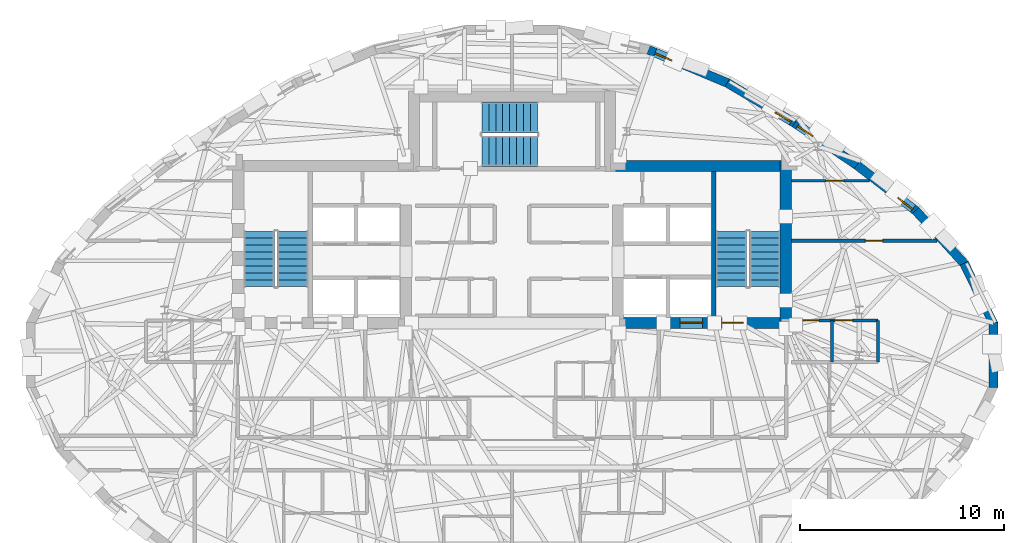
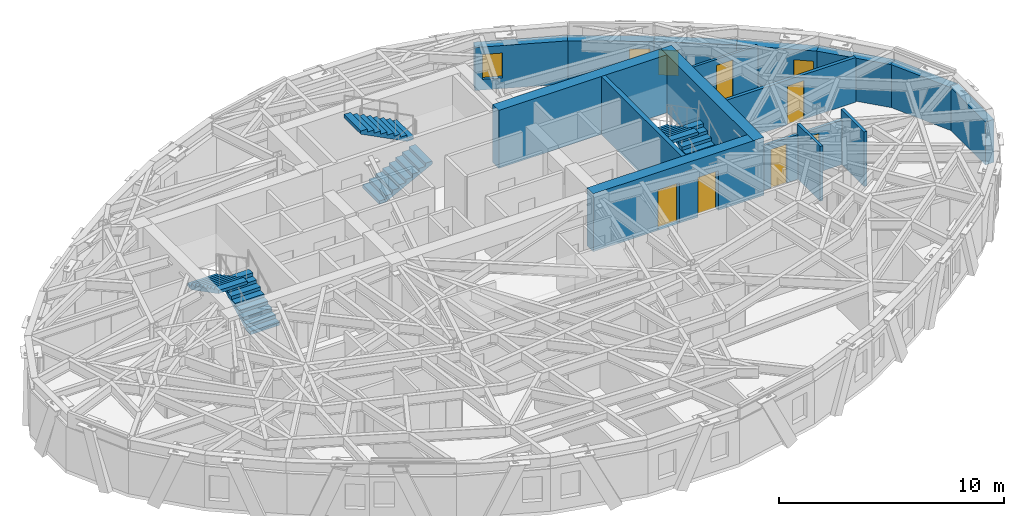
# One storey, part 10 of 13: 16 walls, 6 doors, 6 stair flights, 4 windows, 10 openings, 3 elements without a shape of their own.
"""IFC4 building model written with IfcOpenShell, lengths in metres."""

from ifc_helpers import new_model, si_unit, direction, frame, frame_2d, origin, place, context, subcontext, project, spatial, polyline, rectangle, outline, extrude, material, layer, layer_set, type_object, element, fill, aggregate, save


model = new_model("IFC4")

# Units and contexts
model_context = context("Model", 3, precision=1e-05, world=origin(), true_north=direction((0.0, 1.0)))
body_context = subcontext(model_context, "Body", "Model", "MODEL_VIEW")
ifc_project = project(units=[si_unit("LENGTHUNIT", "METRE"), si_unit("AREAUNIT", "SQUARE_METRE"), si_unit("VOLUMEUNIT", "CUBIC_METRE"), si_unit("PLANEANGLEUNIT", "RADIAN"), si_unit("MASSUNIT", "GRAM", prefix="KILO")], contexts=[model_context])

# Site, building, storey
site_placement = place(None, origin())
site = spatial("IfcSite", under=ifc_project, at=site_placement, CompositionType="ELEMENT")
building_placement = place(site_placement, origin())
building = spatial("IfcBuilding", under=site, at=building_placement, Name="Keldmark Tower", CompositionType="ELEMENT")
storey_placement = place(building_placement, frame((0.0, 0.0, 210.0)))
storey = spatial("IfcBuildingStorey", under=building, at=storey_placement, Name="L58", CompositionType="ELEMENT", Elevation=210.0)

# Walls
ifc_material_1 = material(Name="Concrete C50/60", Category="concrete")
ifc_layer_1 = layer(ifc_material_1, 0.550048828125)
ifc_layer_set_1 = layer_set([ifc_layer_1], Name="Concrete C50/60")
wall_type_1 = type_object("IfcWallType", Name="High-Rise Core Shear Wall 550 mm", PredefinedType="SHEAR", material=ifc_layer_set_1)
wall_1_placement = place(storey_placement, frame((13.425048828125, 1.300048828125, 0.0), z_axis=(0.0, 0.0, 1.0), x_axis=(0.0, 1.0, 0.0)))
element("IfcWall", 1, at=wall_1_placement, inside=storey, type_object=wall_type_1, Name="L58 East Core Outer Shear Wall", PredefinedType="SHEAR", context=body_context, shape_type="SweptSolid", body=[
    extrude(rectangle(XDim=8.25, YDim=0.550048828125, at=frame_2d((4.125, 0.0))), origin(), (0.0, 0.0, 1.0), 3.14990234375),
])
wall_2_placement = place(storey_placement, frame((4.52490234375, 9.27490234375, 0.0), z_axis=(0.0, 0.0, 1.0), x_axis=(1.0, 0.0, 0.0)))
element("IfcWall", 2, at=wall_2_placement, inside=storey, type_object=wall_type_1, Name="L58 East Core North Shear Wall", PredefinedType="SHEAR", context=body_context, shape_type="SweptSolid", body=[
    extrude(rectangle(XDim=9.175048828125, YDim=0.550048828125, at=frame_2d((4.58740234375, 0.0))), origin(), (0.0, 0.0, 1.0), 3.14990234375),
])

# Wall, openings, doors
wall_3_placement = place(storey_placement, frame((13.699951171875, 1.574951171875, 0.0), z_axis=(0.0, 0.0, 1.0), x_axis=(-1.0, 0.0, 0.0)))
wall_3 = element("IfcWall", 3, at=wall_3_placement, inside=storey, type_object=wall_type_1, Name="L58 East Core South Shear Wall", PredefinedType="SHEAR", context=body_context, shape_type="SweptSolid", body=[
    extrude(rectangle(XDim=8.77490234375, YDim=0.550048828125, at=frame_2d((4.387451171875, 0.0))), origin(), (0.0, 0.0, 1.0), 3.14990234375),
])
opening_1_placement = place(wall_3_placement, frame((2.35009765625, 0.0, 0.0)))
opening_1 = element("IfcOpeningElement", 4, at=opening_1_placement, cuts=wall_3, Name="Opening D-ST105", PredefinedType="OPENING", context=body_context, shape_type="SweptSolid", body=[
    extrude(rectangle(XDim=1.050048828125, YDim=2.14990234375, at=frame_2d((0.52490234375, 1.074951171875))), frame((0.0, 0.284912109375, 0.0), z_axis=(0.0, -1.0, 0.0), x_axis=(1.0, 0.0, 0.0)), (0.0, 0.0, 1.0), 0.570068359375),
])
opening_2_placement = place(wall_3_placement, frame((4.35009765625, 0.0, 0.0)))
opening_2 = element("IfcOpeningElement", 5, at=opening_2_placement, cuts=wall_3, Name="Opening LD-110", PredefinedType="OPENING", context=body_context, shape_type="SweptSolid", body=[
    extrude(rectangle(XDim=1.10009765625, YDim=2.199951171875, at=frame_2d((0.550048828125, 1.10009765625))), frame((0.0, 0.284912109375, 0.0), z_axis=(0.0, -1.0, 0.0), x_axis=(1.0, 0.0, 0.0)), (0.0, 0.0, 1.0), 0.570068359375),
])
ifc_material_2 = material(Name="Brushed Bronze Hoistway Sliding Leaf", Category="metal")
door_type_1 = type_object("IfcDoorType", Name="Lift Landing Sliding Door 1100x2200", OperationType="SLIDING_TO_LEFT", PredefinedType="DOOR", material=ifc_material_2)
door_1_placement = place(opening_2_placement, origin())
door_1 = element("IfcDoor", 6, at=door_1_placement, inside=storey, type_object=door_type_1, Name="L58 Lift Landing Sliding Door 1100x2200 LD-EL-FS2-L58", OperationType="SLIDING_TO_LEFT", OverallHeight=2.199951171875, OverallWidth=1.10009765625, PredefinedType="DOOR", context=body_context, shape_type="SweptSolid", body=[
    extrude(rectangle(XDim=1.10009765625, YDim=2.199951171875, at=frame_2d((0.550048828125, 1.10009765625))), frame((0.0, 0.02490234375, 0.0), z_axis=(0.0, -1.0, 0.0), x_axis=(1.0, 0.0, 0.0)), (0.0, 0.0, 1.0), 0.050048828125),
])
fill(opening_2, door_1)
ifc_material_3 = material(Name="Hollow Metal Fire-Rated Door Assembly", Category="metal")
door_type_2 = type_object("IfcDoorType", Name="Stair Fire Door 1050x2150", OperationType="NOTDEFINED", PredefinedType="DOOR", material=ifc_material_3)
door_2_placement = place(opening_1_placement, origin())
door_2 = element("IfcDoor", 7, at=door_2_placement, inside=storey, type_object=door_type_2, Name="L58 Stair Fire Door 1050x2150 D-ST2-L58", OperationType="SINGLE_SWING_LEFT", OverallHeight=2.14990234375, OverallWidth=1.050048828125, PredefinedType="DOOR", context=body_context, shape_type="SweptSolid", body=[
    extrude(rectangle(XDim=1.050048828125, YDim=2.14990234375, at=frame_2d((0.52490234375, 1.074951171875))), frame((0.0, 0.02490234375, 0.0), z_axis=(0.0, -1.0, 0.0), x_axis=(1.0, 0.0, 0.0)), (0.0, 0.0, 1.0), 0.050048828125),
])
fill(opening_1, door_2)

# Wall, opening, door
ifc_material_4 = material(Name="Acoustic Gypsum Board Interior Partition", Category="gypsum")
ifc_layer_2 = layer(ifc_material_4, 0.1298828125)
ifc_layer_set_2 = layer_set([ifc_layer_2], Name="Acoustic Gypsum Board Interior Partition")
wall_type_2 = type_object("IfcWallType", Name="Interior Partition 130 mm", PredefinedType="PARTITIONING", material=ifc_layer_set_2)
wall_4_placement = place(storey_placement, frame((13.699951171875, 8.550048828125, 0.0), z_axis=(0.0, 0.0, 1.0), x_axis=(1.0, 0.0, 0.0)))
wall_4 = element("IfcWall", 8, at=wall_4_placement, inside=storey, type_object=wall_type_2, Name="L58 Interior Partition 130 mm UD-NDIV2", PredefinedType="PARTITIONING", context=body_context, shape_type="SweptSolid", body=[
    extrude(rectangle(XDim=3.826171875, YDim=0.1298828125, at=frame_2d((1.9130859375, 0.0))), origin(), (0.0, 0.0, 1.0), 2.423095703125),
])
opening_3_placement = place(wall_4_placement, frame((1.70703125, 0.0, 0.0)))
opening_3 = element("IfcOpeningElement", 9, at=opening_3_placement, cuts=wall_4, Name="Opening D-IN085", PredefinedType="OPENING", context=body_context, shape_type="SweptSolid", body=[
    extrude(rectangle(XDim=0.85009765625, YDim=2.10009765625, at=frame_2d((0.425048828125, 1.050048828125))), frame((0.0, 0.074951171875, 0.0), z_axis=(0.0, -1.0, 0.0), x_axis=(1.0, 0.0, 0.0)), (0.0, 0.0, 1.0), 0.14990234375),
])
ifc_material_5 = material(Name="Painted Architectural Wood", Category="wood")
door_type_3 = type_object("IfcDoorType", Name="Interior Door 850x2100", OperationType="NOTDEFINED", PredefinedType="DOOR", material=ifc_material_5)
door_3_placement = place(opening_3_placement, origin())
door_3 = element("IfcDoor", 10, at=door_3_placement, inside=storey, type_object=door_type_3, Name="L58 Interior Door 850x2100 D-UD-BR2-L58", OperationType="SINGLE_SWING_RIGHT", OverallHeight=2.10009765625, OverallWidth=0.85009765625, PredefinedType="DOOR", context=body_context, shape_type="SweptSolid", body=[
    extrude(rectangle(XDim=0.85009765625, YDim=2.10009765625, at=frame_2d((0.425048828125, 1.050048828125))), frame((0.0, 0.02490234375, 0.0), z_axis=(0.0, -1.0, 0.0), x_axis=(1.0, 0.0, 0.0)), (0.0, 0.0, 1.0), 0.050048828125),
])
fill(opening_3, door_3)

ifc_material_6 = material(Name="Type X Fire-Rated Gypsum Partition Assembly", Category="gypsum")
ifc_layer_3 = layer(ifc_material_6, 0.1650390625)
ifc_layer_set_3 = layer_set([ifc_layer_3], Name="Type X Fire-Rated Gypsum Partition Assembly")
wall_type_3 = type_object("IfcWallType", Name="Rated Partition 165 mm", PredefinedType="PARTITIONING", material=ifc_layer_set_3)
wall_5_placement = place(storey_placement, frame((13.699951171875, 5.60009765625, 0.0), z_axis=(0.0, 0.0, 1.0), x_axis=(1.0, 0.0, 0.0)))
wall_5 = element("IfcWall", 11, at=wall_5_placement, inside=storey, type_object=wall_type_3, Name="L58 Rated Partition 165 mm RE-NDIV", PredefinedType="PARTITIONING", context=body_context, shape_type="SweptSolid", body=[
    extrude(rectangle(XDim=7.144775390625, YDim=0.1650390625, at=frame_2d((3.572265625, 0.0))), origin(), (0.0, 0.0, 1.0), 2.423095703125),
])
opening_4_placement = place(wall_5_placement, frame((3.626953125, 0.0, 0.0)))
opening_4 = element("IfcOpeningElement", 12, at=opening_4_placement, cuts=wall_5, Name="Opening D-BR085", PredefinedType="OPENING", context=body_context, shape_type="SweptSolid", body=[
    extrude(rectangle(XDim=0.85009765625, YDim=2.10009765625, at=frame_2d((0.425048828125, 1.050048828125))), frame((0.0, 0.092529296875, 0.0), z_axis=(0.0, -1.0, 0.0), x_axis=(1.0, 0.0, 0.0)), (0.0, 0.0, 1.0), 0.18505859375),
])
ifc_material_7 = material(Name="Solid-Core Stained Walnut Wood", Category="wood")
door_type_4 = type_object("IfcDoorType", Name="Bedroom Door 850x2100", OperationType="NOTDEFINED", PredefinedType="DOOR", material=ifc_material_7)
door_4_placement = place(opening_4_placement, origin())
door_4 = element("IfcDoor", 13, at=door_4_placement, inside=storey, type_object=door_type_4, Name="L58 Bedroom Door 850x2100 D-UD-BR1-L58", OperationType="SINGLE_SWING_LEFT", OverallHeight=2.10009765625, OverallWidth=0.85009765625, PredefinedType="DOOR", context=body_context, shape_type="SweptSolid", body=[
    extrude(rectangle(XDim=0.85009765625, YDim=2.10009765625, at=frame_2d((0.425048828125, 1.050048828125))), frame((0.0, 0.02490234375, 0.0), z_axis=(0.0, -1.0, 0.0), x_axis=(1.0, 0.0, 0.0)), (0.0, 0.0, 1.0), 0.050048828125),
])
fill(opening_4, door_4)

# Walls
ifc_material_8 = material(Name="Concrete C50/60", Category="concrete")
ifc_layer_4 = layer(ifc_material_8, 0.219970703125)
ifc_layer_set_4 = layer_set([ifc_layer_4], Name="Concrete C50/60")
wall_type_4 = type_object("IfcWallType", Name="Stair Core Shear Wall 220 mm", PredefinedType="SHEAR", material=ifc_layer_set_4)
wall_6_placement = place(storey_placement, frame((9.889892578125, 1.85009765625, 0.0), z_axis=(0.0, 0.0, 1.0), x_axis=(0.0, 1.0, 0.0)))
element("IfcWall", 14, at=wall_6_placement, inside=storey, type_object=wall_type_4, Name="L58 East Stair Core Shear Wall", PredefinedType="SHEAR", context=body_context, shape_type="SweptSolid", body=[
    extrude(rectangle(XDim=7.14990234375, YDim=0.219970703125, at=frame_2d((3.574951171875, 0.0))), origin(), (0.0, 0.0, 1.0), 3.14990234375),
])
ifc_material_9 = material(Name="Ironspot Manganese Brick and Kasota Buff Limestone Spandrel Assembly", Category="masonry")
ifc_layer_5 = layer(ifc_material_9, 0.43994140625)
ifc_layer_set_5 = layer_set([ifc_layer_5], Name="Ironspot Manganese Brick and Kasota Buff Limestone Spandrel Assembly")
wall_type_5 = type_object("IfcWallType", Name="Tower Brick Pier and Spandrel Wall 440 mm", PredefinedType="STANDARD", material=ifc_layer_set_5)
wall_7_placement = place(storey_placement, frame((22.166015625, 4.504638671875, 0.0), z_axis=(0.0, 0.0, 1.0), x_axis=(0.439000922584, -0.898486610902, 0.0)))
element("IfcWall", 15, at=wall_7_placement, inside=storey, type_object=wall_type_5, Name="L58 Exterior Brick and Spandrel Wall 01", PredefinedType="STANDARD", context=body_context, shape_type="SweptSolid", body=[
    extrude(rectangle(XDim=3.34912109375, YDim=0.43994140625, at=frame_2d((1.674560546875, 0.0))), origin(), (0.0, 0.0, 1.0), 2.3359375),
])
wall_8_placement = place(storey_placement, frame((19.79541015625, 7.087158203125, 0.0), z_axis=(0.0, 0.0, 1.0), x_axis=(0.674353738675, -0.738408447362, 0.0)))
element("IfcWall", 16, at=wall_8_placement, inside=storey, type_object=wall_type_5, Name="L58 Exterior Brick and Spandrel Wall 02", PredefinedType="STANDARD", context=body_context, shape_type="SweptSolid", body=[
    extrude(rectangle(XDim=3.567626953125, YDim=0.43994140625, at=frame_2d((1.78369140625, 0.0))), origin(), (0.0, 0.0, 1.0), 2.3359375),
])

# Wall, opening, window
wall_9_placement = place(storey_placement, frame((16.910888671875, 9.314208984375, 0.0), z_axis=(0.0, 0.0, 1.0), x_axis=(0.791016617957, -0.61179466336, 0.0)))
wall_9 = element("IfcWall", 17, at=wall_9_placement, inside=storey, type_object=wall_type_5, Name="L58 Exterior Brick and Spandrel Wall 03", PredefinedType="STANDARD", context=body_context, shape_type="SweptSolid", body=[
    extrude(rectangle(XDim=3.68212890625, YDim=0.43994140625, at=frame_2d((1.841064453125, 0.0))), origin(), (0.0, 0.0, 1.0), 2.3359375),
])
opening_5_placement = place(wall_9_placement, frame((2.58203125, 0.0, 0.419921875)))
opening_5 = element("IfcOpeningElement", 18, at=opening_5_placement, cuts=wall_9, Name="Opening W-09", PredefinedType="OPENING", context=body_context, shape_type="SweptSolid", body=[
    extrude(rectangle(XDim=0.89990234375, YDim=1.35009765625, at=frame_2d((0.449951171875, 0.675048828125))), frame((0.0, 0.22998046875, 0.0), z_axis=(0.0, -1.0, 0.0), x_axis=(1.0, 0.0, 0.0)), (0.0, 0.0, 1.0), 0.4599609375),
])
ifc_material_10 = material(Name="Thermally Broken Anodized Aluminum and Triple Low-E Argon Glazing", Category="aluminium")
window_type = type_object("IfcWindowType", Name="Corner Pier Deep-Set Window 900x1350", PartitioningType="SINGLE_PANEL", PredefinedType="WINDOW", material=ifc_material_10)
window_1_placement = place(opening_5_placement, origin())
window_1 = element("IfcWindow", 19, at=window_1_placement, inside=storey, type_object=window_type, Name="L58 Deep-Set Window 03", OverallHeight=1.35009765625, OverallWidth=0.89990234375, PartitioningType="SINGLE_PANEL", PredefinedType="WINDOW", context=body_context, shape_type="SweptSolid", body=[
    extrude(rectangle(XDim=0.89990234375, YDim=1.35009765625, at=frame_2d((0.449951171875, 0.675048828125))), frame((0.0, -0.010009765625, 0.0), z_axis=(0.0, -1.0, 0.0), x_axis=(1.0, 0.0, 0.0)), (0.0, 0.0, 1.0), 0.06005859375),
])
fill(opening_5, window_1)

wall_10_placement = place(storey_placement, frame((13.865234375, 11.379150390625, 0.0), z_axis=(0.0, 0.0, 1.0), x_axis=(0.827589832786, -0.561333295529, 0.0)))
wall_10 = element("IfcWall", 20, at=wall_10_placement, inside=storey, type_object=wall_type_5, Name="L58 Exterior Brick and Spandrel Wall 04", PredefinedType="STANDARD", context=body_context, shape_type="SweptSolid", body=[
    extrude(rectangle(XDim=3.693359375, YDim=0.43994140625, at=frame_2d((1.8466796875, 0.0))), origin(), (0.0, 0.0, 1.0), 2.3359375),
])
opening_6_placement = place(wall_10_placement, frame((0.199951171875, 0.0, 0.419921875)))
opening_6 = element("IfcOpeningElement", 21, at=opening_6_placement, cuts=wall_10, Name="Opening W-09", PredefinedType="OPENING", context=body_context, shape_type="SweptSolid", body=[
    extrude(rectangle(XDim=0.89990234375, YDim=1.35009765625, at=frame_2d((0.449951171875, 0.675048828125))), frame((0.0, 0.22998046875, 0.0), z_axis=(0.0, -1.0, 0.0), x_axis=(1.0, 0.0, 0.0)), (0.0, 0.0, 1.0), 0.4599609375),
])
window_2_placement = place(opening_6_placement, origin())
window_2 = element("IfcWindow", 22, at=window_2_placement, inside=storey, type_object=window_type, Name="L58 Deep-Set Window 04", OverallHeight=1.35009765625, OverallWidth=0.89990234375, PartitioningType="SINGLE_PANEL", PredefinedType="WINDOW", context=body_context, shape_type="SweptSolid", body=[
    extrude(rectangle(XDim=0.89990234375, YDim=1.35009765625, at=frame_2d((0.449951171875, 0.675048828125))), frame((0.0, -0.010009765625, 0.0), z_axis=(0.0, -1.0, 0.0), x_axis=(1.0, 0.0, 0.0)), (0.0, 0.0, 1.0), 0.06005859375),
])
fill(opening_6, window_2)

wall_11_placement = place(storey_placement, frame((10.555419921875, 13.34765625, 0.0), z_axis=(0.0, 0.0, 1.0), x_axis=(0.859415840392, -0.511277237204, 0.0)))
wall_11 = element("IfcWall", 23, at=wall_11_placement, inside=storey, type_object=wall_type_5, Name="L58 Exterior Brick and Spandrel Wall 05", PredefinedType="STANDARD", context=body_context, shape_type="SweptSolid", body=[
    extrude(rectangle(XDim=3.864013671875, YDim=0.43994140625, at=frame_2d((1.93212890625, 0.0))), origin(), (0.0, 0.0, 1.0), 2.3359375),
])
opening_7_placement = place(wall_11_placement, frame((2.76416015625, 0.0, 0.580078125)))
opening_7 = element("IfcOpeningElement", 24, at=opening_7_placement, cuts=wall_11, Name="Opening W-09", PredefinedType="OPENING", context=body_context, shape_type="SweptSolid", body=[
    extrude(rectangle(XDim=0.89990234375, YDim=1.35009765625, at=frame_2d((0.449951171875, 0.675048828125))), frame((0.0, 0.22998046875, 0.0), z_axis=(0.0, -1.0, 0.0), x_axis=(1.0, 0.0, 0.0)), (0.0, 0.0, 1.0), 0.4599609375),
])
window_3_placement = place(opening_7_placement, origin())
window_3 = element("IfcWindow", 25, at=window_3_placement, inside=storey, type_object=window_type, Name="L58 Deep-Set Window 05", OverallHeight=1.35009765625, OverallWidth=0.89990234375, PartitioningType="SINGLE_PANEL", PredefinedType="WINDOW", context=body_context, shape_type="SweptSolid", body=[
    extrude(rectangle(XDim=0.89990234375, YDim=1.35009765625, at=frame_2d((0.449951171875, 0.675048828125))), frame((0.0, -0.010009765625, 0.0), z_axis=(0.0, -1.0, 0.0), x_axis=(1.0, 0.0, 0.0)), (0.0, 0.0, 1.0), 0.06005859375),
])
fill(opening_7, window_3)

wall_12_placement = place(storey_placement, frame((6.69873046875, 14.965576171875, 0.0), z_axis=(0.0, 0.0, 1.0), x_axis=(0.921948168537, -0.387313276988, 0.0)))
wall_12 = element("IfcWall", 26, at=wall_12_placement, inside=storey, type_object=wall_type_5, Name="L58 Exterior Brick and Spandrel Wall 06", PredefinedType="STANDARD", context=body_context, shape_type="SweptSolid", body=[
    extrude(rectangle(XDim=4.212646484375, YDim=0.43994140625, at=frame_2d((2.1064453125, 0.0))), origin(), (0.0, 0.0, 1.0), 2.3359375),
])
opening_8_placement = place(wall_12_placement, frame((0.34814453125, 0.0, 0.580078125)))
opening_8 = element("IfcOpeningElement", 27, at=opening_8_placement, cuts=wall_12, Name="Opening W-09", PredefinedType="OPENING", context=body_context, shape_type="SweptSolid", body=[
    extrude(rectangle(XDim=0.89990234375, YDim=1.35009765625, at=frame_2d((0.449951171875, 0.675048828125))), frame((0.0, 0.22998046875, 0.0), z_axis=(0.0, -1.0, 0.0), x_axis=(1.0, 0.0, 0.0)), (0.0, 0.0, 1.0), 0.4599609375),
])
window_4_placement = place(opening_8_placement, origin())
window_4 = element("IfcWindow", 28, at=window_4_placement, inside=storey, type_object=window_type, Name="L58 Deep-Set Window 06", OverallHeight=1.35009765625, OverallWidth=0.89990234375, PartitioningType="SINGLE_PANEL", PredefinedType="WINDOW", context=body_context, shape_type="SweptSolid", body=[
    extrude(rectangle(XDim=0.89990234375, YDim=1.35009765625, at=frame_2d((0.449951171875, 0.675048828125))), frame((0.0, -0.010009765625, 0.0), z_axis=(0.0, -1.0, 0.0), x_axis=(1.0, 0.0, 0.0)), (0.0, 0.0, 1.0), 0.06005859375),
])
fill(opening_8, window_4)

# Wall
wall_13_placement = place(storey_placement, frame((23.614013671875, 1.59228515625, 0.0), z_axis=(0.0, 0.0, 1.0), x_axis=(0.0, -1.0, 0.0)))
element("IfcWall", 29, at=wall_13_placement, inside=storey, type_object=wall_type_5, Name="L58 Exterior Brick and Spandrel Wall 32", PredefinedType="STANDARD", context=body_context, shape_type="SweptSolid", body=[
    extrude(rectangle(XDim=3.1845703125, YDim=0.43994140625, at=frame_2d((1.59228515625, 0.0))), origin(), (0.0, 0.0, 1.0), 2.3359375),
])

# Wall, openings, doors
ifc_material_11 = material(Name="Moisture-Resistant Gypsum Plumbing Partition", Category="gypsum")
ifc_layer_6 = layer(ifc_material_11, 0.14990234375)
ifc_layer_set_6 = layer_set([ifc_layer_6], Name="Moisture-Resistant Gypsum Plumbing Partition")
wall_type_6 = type_object("IfcWallType", Name="Wet Wall 150 mm", PredefinedType="PLUMBINGWALL", material=ifc_layer_set_6)
wall_14_placement = place(storey_placement, frame((13.699951171875, 1.699951171875, 0.0), z_axis=(0.0, 0.0, 1.0), x_axis=(1.0, 0.0, 0.0)))
wall_14 = element("IfcWall", 30, at=wall_14_placement, inside=storey, type_object=wall_type_6, Name="L58 Wet Wall 150 mm UD-BK-N", PredefinedType="PLUMBINGWALL", context=body_context, shape_type="SweptSolid", body=[
    extrude(rectangle(XDim=4.25, YDim=0.14990234375, at=frame_2d((2.125, 0.0))), origin(), (0.0, 0.0, 1.0), 2.423095703125),
])
opening_9_placement = place(wall_14_placement, frame((0.550048828125, 0.0, 0.0)))
opening_9 = element("IfcOpeningElement", 31, at=opening_9_placement, cuts=wall_14, Name="Opening D-BT080", PredefinedType="OPENING", context=body_context, shape_type="SweptSolid", body=[
    extrude(rectangle(XDim=0.800048828125, YDim=2.10009765625, at=frame_2d((0.39990234375, 1.050048828125))), frame((0.0, 0.0849609375, 0.0), z_axis=(0.0, -1.0, 0.0), x_axis=(1.0, 0.0, 0.0)), (0.0, 0.0, 1.0), 0.169921875),
])
opening_10_placement = place(wall_14_placement, frame((2.14990234375, 0.0, 0.0)))
opening_10 = element("IfcOpeningElement", 32, at=opening_10_placement, cuts=wall_14, Name="Opening D-IN085", PredefinedType="OPENING", context=body_context, shape_type="SweptSolid", body=[
    extrude(rectangle(XDim=0.85009765625, YDim=2.10009765625, at=frame_2d((0.425048828125, 1.050048828125))), frame((0.0, 0.0849609375, 0.0), z_axis=(0.0, -1.0, 0.0), x_axis=(1.0, 0.0, 0.0)), (0.0, 0.0, 1.0), 0.169921875),
])
ifc_material_12 = material(Name="Moisture-Sealed Stained Wood", Category="wood")
door_type_5 = type_object("IfcDoorType", Name="Bathroom Door 800x2100", OperationType="NOTDEFINED", PredefinedType="DOOR", material=ifc_material_12)
door_5_placement = place(opening_9_placement, origin())
door_5 = element("IfcDoor", 33, at=door_5_placement, inside=storey, type_object=door_type_5, Name="L58 Bathroom Door 800x2100 D-UD-BATH-L58", OperationType="SINGLE_SWING_RIGHT", OverallHeight=2.10009765625, OverallWidth=0.800048828125, PredefinedType="DOOR", context=body_context, shape_type="SweptSolid", body=[
    extrude(rectangle(XDim=0.800048828125, YDim=2.10009765625, at=frame_2d((0.39990234375, 1.050048828125))), frame((0.0, 0.02490234375, 0.0), z_axis=(0.0, -1.0, 0.0), x_axis=(1.0, 0.0, 0.0)), (0.0, 0.0, 1.0), 0.050048828125),
])
fill(opening_9, door_5)
door_6_placement = place(opening_10_placement, origin())
door_6 = element("IfcDoor", 34, at=door_6_placement, inside=storey, type_object=door_type_3, Name="L58 Interior Door 850x2100 D-UD-KIT-L58", OperationType="SINGLE_SWING_LEFT", OverallHeight=2.10009765625, OverallWidth=0.85009765625, PredefinedType="DOOR", context=body_context, shape_type="SweptSolid", body=[
    extrude(rectangle(XDim=0.85009765625, YDim=2.10009765625, at=frame_2d((0.425048828125, 1.050048828125))), frame((0.0, 0.02490234375, 0.0), z_axis=(0.0, -1.0, 0.0), x_axis=(1.0, 0.0, 0.0)), (0.0, 0.0, 1.0), 0.050048828125),
])
fill(opening_10, door_6)

# Walls
for number, where, z_axis, x_axis, name in (
    (35, (15.699951171875, -0.35009765625, 0.0), (0.0, 0.0, 1.0), (0.0, 1.0, 0.0), "L58 Wet Wall 150 mm UD-BK-M"),
    (36, (17.949951171875, -0.35009765625, 0.0), (0.0, 0.0, 1.0), (0.0, 1.0, 0.0), "L58 Wet Wall 150 mm UD-BK-OUT"),
):
    element("IfcWall", number, at=place(storey_placement, frame(where, z_axis=z_axis, x_axis=x_axis)), inside=storey, type_object=wall_type_6, Name=name, PredefinedType="PLUMBINGWALL", context=body_context, shape_type="SweptSolid", body=[
        extrude(rectangle(XDim=2.050048828125, YDim=0.14990234375, at=frame_2d((1.02490234375, 0.0))), origin(), (0.0, 0.0, 1.0), 2.969970703125),
    ])

# Stair, stair flights
ifc_material_13 = material(Name="Concrete C40/50", Category="concrete")
stair_type = type_object("IfcStairType", Name="Precast Concrete Core Exit Stair", PredefinedType="HALF_TURN_STAIR", material=ifc_material_13)
stair_1_placement = place(storey_placement, origin())
stair_1 = element("IfcStair", 37, at=stair_1_placement, inside=storey, type_object=stair_type, Name="L58 Exit Stair ST1", PredefinedType="HALF_TURN_STAIR")
ifc_material_14 = material(Name="Concrete C40/50", Category="concrete")
stair_flight_type = type_object("IfcStairFlightType", Name="Precast Concrete Stair Flight 1500 mm", PredefinedType="STRAIGHT", material=ifc_material_14)
stair_flight_1_placement = place(storey_placement, frame((-10.75, 3.35009765625, 0.0), z_axis=(0.0, 0.0, 1.0), x_axis=(0.0, 1.0, 0.0)))
stair_flight_1 = element("IfcStairFlight", 38, at=stair_flight_1_placement, type_object=stair_flight_type, Name="ST1 flight 1", NumberOfRisers=9, NumberOfTreads=8, PredefinedType="STRAIGHT", RiserHeight=0.175, TreadLength=0.34, context=body_context, shape_type="SweptSolid", body=[
    extrude(outline(polyline([(0.0, 0.0), (0.0, 0.175048828125), (0.340087890625, 0.175048828125), (0.340087890625, 0.35009765625), (0.679931640625, 0.35009765625), (0.679931640625, 0.52490234375), (1.02001953125, 0.52490234375), (1.02001953125, 0.699951171875), (1.360107421875, 0.699951171875), (1.360107421875, 0.875), (1.699951171875, 0.875), (1.699951171875, 1.050048828125), (2.0400390625, 1.050048828125), (2.0400390625, 1.22509765625), (2.3798828125, 1.22509765625), (2.3798828125, 1.39990234375), (2.719970703125, 1.39990234375), (2.719970703125, 1.574951171875), (2.719970703125, 1.2314453125), (0.32763671875, 0.0), (0.0, 0.0)])), frame((0.0, 0.75, 0.0), z_axis=(0.0, -1.0, 0.0), x_axis=(1.0, 0.0, 0.0)), (0.0, 0.0, 1.0), 1.5),
])
stair_flight_2_placement = place(storey_placement, frame((-12.39990234375, 6.070068359375, 1.574951171875), z_axis=(0.0, 0.0, 1.0), x_axis=(0.0, -1.0, 0.0)))
stair_flight_2 = element("IfcStairFlight", 39, at=stair_flight_2_placement, type_object=stair_flight_type, Name="ST1 flight 2", NumberOfRisers=9, NumberOfTreads=8, PredefinedType="STRAIGHT", RiserHeight=0.175, TreadLength=0.34, context=body_context, shape_type="SweptSolid", body=[
    extrude(outline(polyline([(0.0, 0.0), (0.0, 0.175048828125), (0.340087890625, 0.175048828125), (0.340087890625, 0.35009765625), (0.679931640625, 0.35009765625), (0.679931640625, 0.52490234375), (1.02001953125, 0.52490234375), (1.02001953125, 0.699951171875), (1.360107421875, 0.699951171875), (1.360107421875, 0.875), (1.699951171875, 0.875), (1.699951171875, 1.050048828125), (2.0400390625, 1.050048828125), (2.0400390625, 1.22509765625), (2.3798828125, 1.22509765625), (2.3798828125, 1.39990234375), (2.719970703125, 1.39990234375), (2.719970703125, 1.574951171875), (2.719970703125, 1.2314453125), (0.32763671875, 0.0), (0.0, 0.0)])), frame((0.0, 0.75, 0.0), z_axis=(0.0, -1.0, 0.0), x_axis=(1.0, 0.0, 0.0)), (0.0, 0.0, 1.0), 1.5),
])
aggregate(stair_1, [stair_flight_1, stair_flight_2])

stair_2_placement = place(storey_placement, origin())
stair_2 = element("IfcStair", 40, at=stair_2_placement, inside=storey, type_object=stair_type, Name="L58 Exit Stair ST2", PredefinedType="HALF_TURN_STAIR")
stair_flight_3_placement = place(storey_placement, frame((12.39990234375, 3.35009765625, 0.0), z_axis=(0.0, 0.0, 1.0), x_axis=(0.0, 1.0, 0.0)))
stair_flight_3 = element("IfcStairFlight", 41, at=stair_flight_3_placement, type_object=stair_flight_type, Name="ST2 flight 1", NumberOfRisers=9, NumberOfTreads=8, PredefinedType="STRAIGHT", RiserHeight=0.175, TreadLength=0.34, context=body_context, shape_type="SweptSolid", body=[
    extrude(outline(polyline([(0.0, 0.0), (0.0, 0.175048828125), (0.340087890625, 0.175048828125), (0.340087890625, 0.35009765625), (0.679931640625, 0.35009765625), (0.679931640625, 0.52490234375), (1.02001953125, 0.52490234375), (1.02001953125, 0.699951171875), (1.360107421875, 0.699951171875), (1.360107421875, 0.875), (1.699951171875, 0.875), (1.699951171875, 1.050048828125), (2.0400390625, 1.050048828125), (2.0400390625, 1.22509765625), (2.3798828125, 1.22509765625), (2.3798828125, 1.39990234375), (2.719970703125, 1.39990234375), (2.719970703125, 1.574951171875), (2.719970703125, 1.2314453125), (0.32763671875, 0.0), (0.0, 0.0)])), frame((0.0, 0.75, 0.0), z_axis=(0.0, -1.0, 0.0), x_axis=(1.0, 0.0, 0.0)), (0.0, 0.0, 1.0), 1.5),
])
stair_flight_4_placement = place(storey_placement, frame((10.75, 6.070068359375, 1.574951171875), z_axis=(0.0, 0.0, 1.0), x_axis=(0.0, -1.0, 0.0)))
stair_flight_4 = element("IfcStairFlight", 42, at=stair_flight_4_placement, type_object=stair_flight_type, Name="ST2 flight 2", NumberOfRisers=9, NumberOfTreads=8, PredefinedType="STRAIGHT", RiserHeight=0.175, TreadLength=0.34, context=body_context, shape_type="SweptSolid", body=[
    extrude(outline(polyline([(0.0, 0.0), (0.0, 0.175048828125), (0.340087890625, 0.175048828125), (0.340087890625, 0.35009765625), (0.679931640625, 0.35009765625), (0.679931640625, 0.52490234375), (1.02001953125, 0.52490234375), (1.02001953125, 0.699951171875), (1.360107421875, 0.699951171875), (1.360107421875, 0.875), (1.699951171875, 0.875), (1.699951171875, 1.050048828125), (2.0400390625, 1.050048828125), (2.0400390625, 1.22509765625), (2.3798828125, 1.22509765625), (2.3798828125, 1.39990234375), (2.719970703125, 1.39990234375), (2.719970703125, 1.574951171875), (2.719970703125, 1.2314453125), (0.32763671875, 0.0), (0.0, 0.0)])), frame((0.0, 0.75, 0.0), z_axis=(0.0, -1.0, 0.0), x_axis=(1.0, 0.0, 0.0)), (0.0, 0.0, 1.0), 1.5),
])
aggregate(stair_2, [stair_flight_3, stair_flight_4])

stair_3_placement = place(storey_placement, origin())
stair_3 = element("IfcStair", 43, at=stair_3_placement, inside=storey, type_object=stair_type, Name="L58 Exit Stair ST3", PredefinedType="HALF_TURN_STAIR")
stair_flight_5_placement = place(storey_placement, frame((-1.47509765625, 10.0, 0.0), z_axis=(0.0, 0.0, 1.0), x_axis=(1.0, 0.0, 0.0)))
stair_flight_5 = element("IfcStairFlight", 44, at=stair_flight_5_placement, type_object=stair_flight_type, Name="ST3 flight 1", NumberOfRisers=9, NumberOfTreads=8, PredefinedType="STRAIGHT", RiserHeight=0.175, TreadLength=0.34, context=body_context, shape_type="SweptSolid", body=[
    extrude(outline(polyline([(0.0, 0.0), (0.0, 0.175048828125), (0.340087890625, 0.175048828125), (0.340087890625, 0.35009765625), (0.679931640625, 0.35009765625), (0.679931640625, 0.52490234375), (1.02001953125, 0.52490234375), (1.02001953125, 0.699951171875), (1.360107421875, 0.699951171875), (1.360107421875, 0.875), (1.699951171875, 0.875), (1.699951171875, 1.050048828125), (2.0400390625, 1.050048828125), (2.0400390625, 1.22509765625), (2.3798828125, 1.22509765625), (2.3798828125, 1.39990234375), (2.719970703125, 1.39990234375), (2.719970703125, 1.574951171875), (2.719970703125, 1.2314453125), (0.32763671875, 0.0), (0.0, 0.0)])), frame((0.0, 0.75, 0.0), z_axis=(0.0, -1.0, 0.0), x_axis=(1.0, 0.0, 0.0)), (0.0, 0.0, 1.0), 1.5),
])
stair_flight_6_placement = place(storey_placement, frame((1.2451171875, 11.64990234375, 1.574951171875), z_axis=(0.0, 0.0, 1.0), x_axis=(-1.0, 0.0, 0.0)))
stair_flight_6 = element("IfcStairFlight", 45, at=stair_flight_6_placement, type_object=stair_flight_type, Name="ST3 flight 2", NumberOfRisers=9, NumberOfTreads=8, PredefinedType="STRAIGHT", RiserHeight=0.175, TreadLength=0.34, context=body_context, shape_type="SweptSolid", body=[
    extrude(outline(polyline([(0.0, 0.0), (0.0, 0.175048828125), (0.340087890625, 0.175048828125), (0.340087890625, 0.35009765625), (0.679931640625, 0.35009765625), (0.679931640625, 0.52490234375), (1.02001953125, 0.52490234375), (1.02001953125, 0.699951171875), (1.360107421875, 0.699951171875), (1.360107421875, 0.875), (1.699951171875, 0.875), (1.699951171875, 1.050048828125), (2.0400390625, 1.050048828125), (2.0400390625, 1.22509765625), (2.3798828125, 1.22509765625), (2.3798828125, 1.39990234375), (2.719970703125, 1.39990234375), (2.719970703125, 1.574951171875), (2.719970703125, 1.2314453125), (0.32763671875, 0.0), (0.0, 0.0)])), frame((0.0, 0.75, 0.0), z_axis=(0.0, -1.0, 0.0), x_axis=(1.0, 0.0, 0.0)), (0.0, 0.0, 1.0), 1.5),
])
aggregate(stair_3, [stair_flight_5, stair_flight_6])

save(model, "model.ifc")
